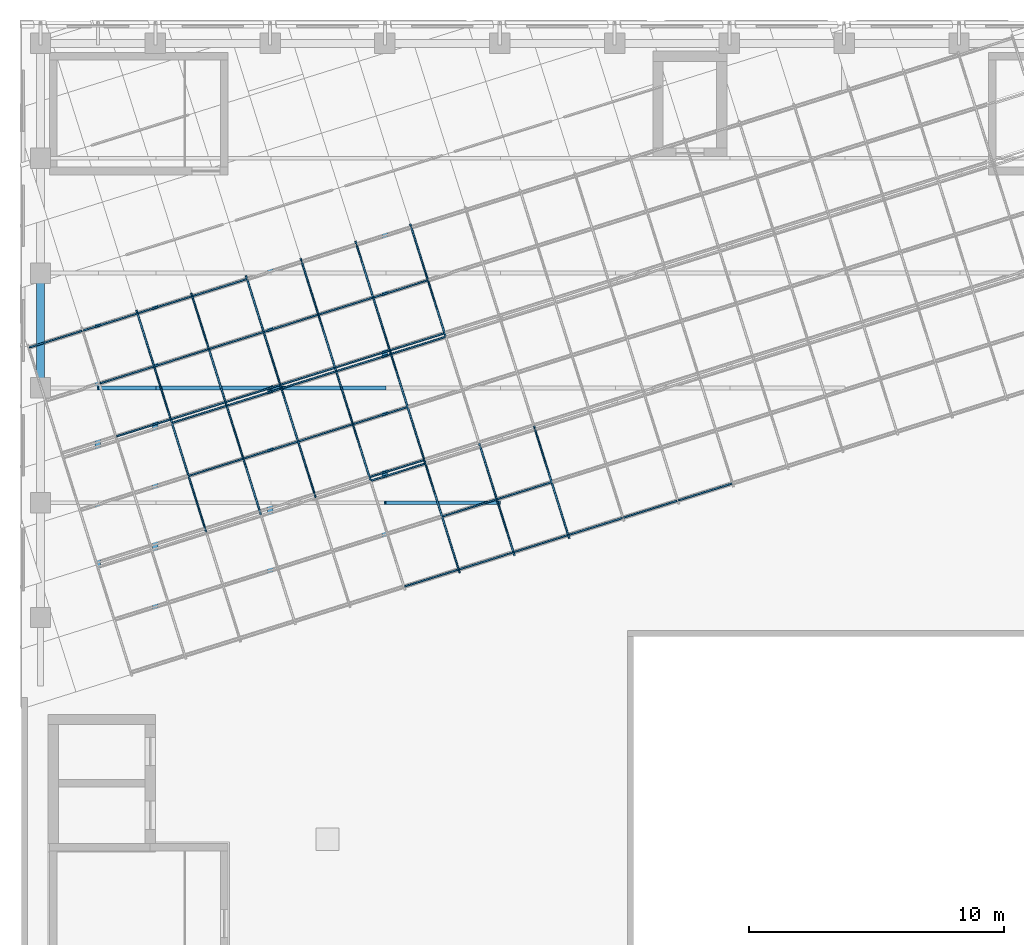
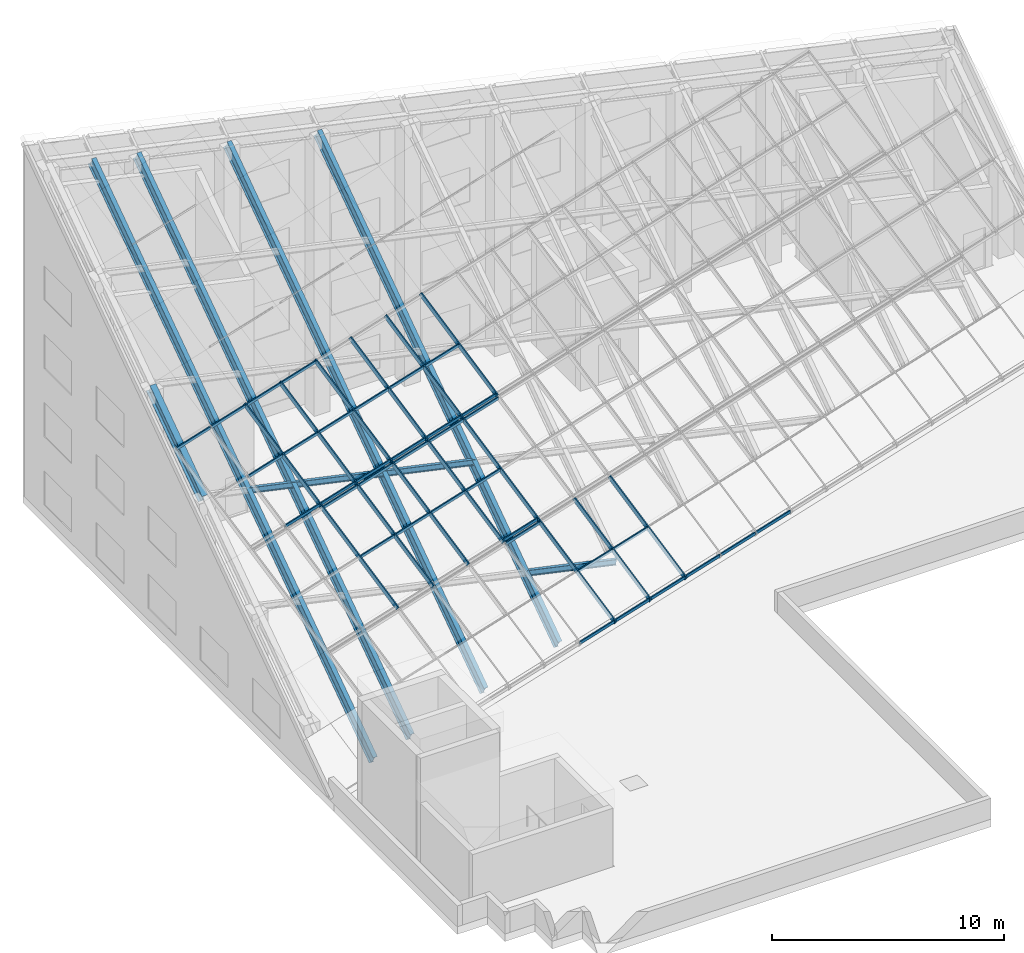
# One storey, part 2 of 14: 58 members, 3 elements without a shape of their own.
"""IFC4 building model written with IfcOpenShell, lengths in metres."""

from ifc_helpers import new_model, si_unit, direction, frame, origin, origin_2d, place, context, subcontext, project, spatial, rectangle, i_section, extrude, material, material_profile, profile_set, type_object, element, aggregate, save


model = new_model("IFC4")

# Units and contexts
model_context = context("Model", 3, precision=1e-05, world=origin(), true_north=direction((0.0, 1.0)))
body_context = subcontext(model_context, "Body", "Model", "MODEL_VIEW")
ifc_project = project(units=[si_unit("LENGTHUNIT", "METRE"), si_unit("AREAUNIT", "SQUARE_METRE"), si_unit("VOLUMEUNIT", "CUBIC_METRE"), si_unit("PLANEANGLEUNIT", "RADIAN"), si_unit("MASSUNIT", "GRAM", prefix="KILO")], contexts=[model_context])

# Site, building, storey
site_placement = place(None, origin())
site = spatial("IfcSite", under=ifc_project, at=site_placement, CompositionType="ELEMENT")
building_placement = place(site_placement, origin())
building = spatial("IfcBuilding", under=site, at=building_placement, Name="Firuza Court", CompositionType="ELEMENT")
storey_placement = place(building_placement, frame((0.0, 0.0, 266.199951171875)))
storey = spatial("IfcBuildingStorey", under=building, at=storey_placement, Name="L68 Crown", CompositionType="ELEMENT", Elevation=266.199951171875)

# Members
ifc_material_1 = material(Name="Steel S355", Category="steel")
ifc_material_profile_1 = material_profile(ifc_material_1, i_section(OverallWidth=0.14990234375, OverallDepth=0.300048828125, WebThickness=0.007080078125, FlangeThickness=0.0107421875, FilletRadius=0.014892578125, at=origin_2d()), Name="IPE 300")
ifc_profile_set_1 = profile_set([ifc_material_profile_1], Name="Steel S355")
member_type_1 = type_object("IfcMemberType", Name="Crown purlin IPE 300 S355", PredefinedType="PURLIN", material=ifc_profile_set_1)
member_1_placement = place(storey_placement, frame((13.5, 40.5, 2.302734375), z_axis=(0.977054686112, 0.0, -0.212988592057), x_axis=(0.0, 1.0, 0.0)))
element("IfcMember", 1, at=member_1_placement, inside=storey, type_object=member_type_1, Name="Crown frame purlin", PredefinedType="PURLIN", context=body_context, shape_type="SweptSolid", body=[
    extrude(i_section(OverallWidth=0.14990234375, OverallDepth=0.300048828125, WebThickness=0.007080078125, FlangeThickness=0.0107421875, FilletRadius=0.014892578125, at=origin_2d()), origin(), (0.0, 0.0, 1.0), 4.605712890625),
])
member_2_placement = place(storey_placement, frame((2.25, 45.0, 7.87353515625), z_axis=(0.977054686112, 0.0, -0.212988592057), x_axis=(0.0, 1.0, 0.0)))
element("IfcMember", 2, at=member_2_placement, inside=storey, type_object=member_type_1, Name="Crown frame purlin", PredefinedType="PURLIN", context=body_context, shape_type="SweptSolid", body=[
    extrude(i_section(OverallWidth=0.14990234375, OverallDepth=0.300048828125, WebThickness=0.007080078125, FlangeThickness=0.0107421875, FilletRadius=0.014892578125, at=origin_2d()), origin(), (0.0, 0.0, 1.0), 2.302734375),
])
for number, where, z_axis, x_axis, name in (
    (3, (4.5, 45.0, 7.383056640625), (0.977065716097, 0.0, -0.212937987281), (0.0, 1.0, 0.0), "Crown frame purlin"),
    (4, (9.0, 45.0, 6.40234375), (0.977065716097, 0.0, -0.212937987281), (0.0, 1.0, 0.0), "Crown frame purlin"),
):
    element("IfcMember", number, at=place(storey_placement, frame(where, z_axis=z_axis, x_axis=x_axis)), inside=storey, type_object=member_type_1, Name=name, PredefinedType="PURLIN", context=body_context, shape_type="SweptSolid", body=[
        extrude(i_section(OverallWidth=0.14990234375, OverallDepth=0.300048828125, WebThickness=0.007080078125, FlangeThickness=0.0107421875, FilletRadius=0.014892578125, at=origin_2d()), origin(), (0.0, 0.0, 1.0), 4.605712890625),
    ])
ifc_material_2 = material(Name="Steel S355", Category="steel")
ifc_material_profile_2 = material_profile(ifc_material_2, i_section(OverallWidth=0.219970703125, OverallDepth=0.60009765625, WebThickness=0.011962890625, FlangeThickness=0.01904296875, FilletRadius=0.02392578125, at=origin_2d()), Name="IPE 600")
ifc_profile_set_2 = profile_set([ifc_material_profile_2], Name="Steel S355")
member_type_2 = type_object("IfcMemberType", Name="Crown rafter IPE 600 S355", PredefinedType="RAFTER", material=ifc_profile_set_2)
member_3_placement = place(storey_placement, frame((2.25, 34.197021484375, 0.20263671875), z_axis=(0.0, 0.82189365558, 0.569640956145), x_axis=(-1.0, 0.0, 0.0)))
element("IfcMember", 5, at=member_3_placement, inside=storey, type_object=member_type_2, Name="Crown frame rafter", PredefinedType="RAFTER", context=body_context, shape_type="SweptSolid", body=[
    extrude(i_section(OverallWidth=0.219970703125, OverallDepth=0.60009765625, WebThickness=0.011962890625, FlangeThickness=0.01904296875, FilletRadius=0.02392578125, at=origin_2d()), origin(), (0.0, 0.0, 1.0), 29.569580078125),
])
member_4_placement = place(storey_placement, frame((4.5, 34.904541015625, 0.20263671875), z_axis=(0.0, 0.821895423076, 0.569638405944), x_axis=(-1.0, 0.0, 0.0)))
element("IfcMember", 6, at=member_4_placement, inside=storey, type_object=member_type_2, Name="Crown frame rafter", PredefinedType="RAFTER", context=body_context, shape_type="SweptSolid", body=[
    extrude(i_section(OverallWidth=0.219970703125, OverallDepth=0.60009765625, WebThickness=0.011962890625, FlangeThickness=0.01904296875, FilletRadius=0.02392578125, at=origin_2d()), origin(), (0.0, 0.0, 1.0), 28.70849609375),
])
member_5_placement = place(storey_placement, frame((9.0, 36.319580078125, 0.20263671875), z_axis=(0.0, 0.821895060869, 0.56963892855), x_axis=(-1.0, 0.0, 0.0)))
element("IfcMember", 7, at=member_5_placement, inside=storey, type_object=member_type_2, Name="Crown frame rafter", PredefinedType="RAFTER", context=body_context, shape_type="SweptSolid", body=[
    extrude(i_section(OverallWidth=0.219970703125, OverallDepth=0.60009765625, WebThickness=0.011962890625, FlangeThickness=0.01904296875, FilletRadius=0.02392578125, at=origin_2d()), origin(), (0.0, 0.0, 1.0), 26.98681640625),
])
member_6_placement = place(storey_placement, frame((13.5, 37.73486328125, 0.20263671875), z_axis=(0.0, 0.821891513689, 0.569644046511), x_axis=(-1.0, 0.0, 0.0)))
element("IfcMember", 8, at=member_6_placement, inside=storey, type_object=member_type_2, Name="Crown frame rafter", PredefinedType="RAFTER", context=body_context, shape_type="SweptSolid", body=[
    extrude(i_section(OverallWidth=0.219970703125, OverallDepth=0.60009765625, WebThickness=0.011962890625, FlangeThickness=0.01904296875, FilletRadius=0.02392578125, at=origin_2d()), origin(), (0.0, 0.0, 1.0), 25.26513671875),
])
ifc_material_3 = material(Name="Steel S355", Category="steel")
ifc_material_profile_3 = material_profile(ifc_material_3, i_section(OverallWidth=0.300048828125, OverallDepth=0.60009765625, WebThickness=0.015380859375, FlangeThickness=0.030029296875, FilletRadius=0.027099609375, at=origin_2d()), Name="HE 600 B")
ifc_profile_set_3 = profile_set([ifc_material_profile_3], Name="Steel S355")
member_type_3 = type_object("IfcMemberType", Name="Crown ring beam HE 600 B S355", PredefinedType="MEMBER", material=ifc_profile_set_3)
member_7_placement = place(storey_placement, frame((0.0, 49.5, 11.34326171875), z_axis=(0.0, -0.821891894139, -0.569643497592), x_axis=(1.0, 0.0, 0.0)))
element("IfcMember", 9, at=member_7_placement, inside=storey, type_object=member_type_3, Name="Crown frame ring beam", PredefinedType="MEMBER", context=body_context, shape_type="SweptSolid", body=[
    extrude(i_section(OverallWidth=0.300048828125, OverallDepth=0.60009765625, WebThickness=0.015380859375, FlangeThickness=0.030029296875, FilletRadius=0.027099609375, at=origin_2d()), origin(), (0.0, 0.0, 1.0), 5.47509765625),
])

# Curtain wall, members
ifc_material_4 = material(Name="Aluminium curtain wall, triple clear glazing", Category="aluminium")
curtain_wall_type = type_object("IfcCurtainWallType", Name="Crown sloped structural glazing CW5", PredefinedType="NOTDEFINED", material=ifc_material_4)
curtain_wall_1_placement = place(storey_placement, origin())
curtain_wall_1 = element("IfcCurtainWall", 10, at=curtain_wall_1_placement, inside=storey, type_object=curtain_wall_type, Name="Crown sloped structural glazing CW5 1.1", PredefinedType="NOTDEFINED")
ifc_material_5 = material(Name="Aluminium EN AW-6060 T66", Category="aluminium")
ifc_material_profile_4 = material_profile(ifc_material_5, rectangle(XDim=0.06005859375, YDim=0.219970703125, at=origin_2d()), Name="Mullion 220 x 60 CW5")
ifc_profile_set_4 = profile_set([ifc_material_profile_4], Name="Aluminium EN AW-6060 T66")
member_type_4 = type_object("IfcMemberType", Name="Mullion 220 x 60 CW5", PredefinedType="MULLION", material=ifc_profile_set_4)
member_8_placement = place(storey_placement, frame((20.7060546875, 39.160400390625, 0.26416015625), z_axis=(-0.242676110051, 0.771788156835, 0.587751092367), x_axis=(-0.95395336245, -0.299954967071, 0.0)))
member_8 = element("IfcMember", 11, at=member_8_placement, type_object=member_type_4, Name="CW5 mullion 11", PredefinedType="MULLION", context=body_context, shape_type="SweptSolid", body=[
    extrude(rectangle(XDim=0.06005859375, YDim=0.219970703125, at=origin_2d()), origin(), (0.0, 0.0, 1.0), 5.562255859375),
])
member_9_placement = place(storey_placement, frame((18.559814453125, 38.485595703125, 0.26416015625), z_axis=(-0.242684330874, 0.771770408711, 0.587771002846), x_axis=(-0.953948480927, -0.299970491443, 0.0)))
member_9 = element("IfcMember", 12, at=member_9_placement, type_object=member_type_4, Name="CW5 mullion 12", PredefinedType="MULLION", context=body_context, shape_type="SweptSolid", body=[
    extrude(rectangle(XDim=0.06005859375, YDim=0.219970703125, at=origin_2d()), origin(), (0.0, 0.0, 1.0), 5.562255859375),
])
member_10_placement = place(storey_placement, frame((16.413330078125, 37.810546875, 0.26416015625), z_axis=(-0.242676110051, 0.771788156835, 0.587751092367), x_axis=(-0.95395336245, -0.299954967071, 0.0)))
member_10 = element("IfcMember", 13, at=member_10_placement, type_object=member_type_4, Name="CW5 mullion 13", PredefinedType="MULLION", context=body_context, shape_type="SweptSolid", body=[
    extrude(rectangle(XDim=0.06005859375, YDim=0.219970703125, at=origin_2d()), origin(), (0.0, 0.0, 1.0), 5.562255859375),
])

curtain_wall_2_placement = place(storey_placement, origin())
curtain_wall_2 = element("IfcCurtainWall", 14, at=curtain_wall_2_placement, inside=storey, type_object=curtain_wall_type, Name="Crown sloped structural glazing CW5 2.1", PredefinedType="NOTDEFINED")
member_11_placement = place(storey_placement, frame((15.0634765625, 42.103515625, 3.533447265625), z_axis=(-0.242686290418, 0.771732746994, 0.587819642119), x_axis=(-0.953943598647, -0.299986017343, 0.0)))
member_11 = element("IfcMember", 15, at=member_11_placement, type_object=member_type_4, Name="CW5 mullion 15", PredefinedType="MULLION", context=body_context, shape_type="SweptSolid", body=[
    extrude(rectangle(XDim=0.06005859375, YDim=0.219970703125, at=origin_2d()), origin(), (0.0, 0.0, 1.0), 5.56201171875),
])
member_12_placement = place(storey_placement, frame((12.9169921875, 41.428466796875, 3.533447265625), z_axis=(-0.242678069863, 0.771750497813, 0.587799730803), x_axis=(-0.953948480927, -0.299970491443, 0.0)))
member_12 = element("IfcMember", 16, at=member_12_placement, type_object=member_type_4, Name="CW5 mullion 16", PredefinedType="MULLION", context=body_context, shape_type="SweptSolid", body=[
    extrude(rectangle(XDim=0.06005859375, YDim=0.219970703125, at=origin_2d()), origin(), (0.0, 0.0, 1.0), 5.562255859375),
])
member_13_placement = place(storey_placement, frame((10.770751953125, 40.75341796875, 3.533447265625), z_axis=(-0.242678069863, 0.771750497813, 0.587799730803), x_axis=(-0.953948480927, -0.299970491443, 0.0)))
member_13 = element("IfcMember", 17, at=member_13_placement, type_object=member_type_4, Name="CW5 mullion 17", PredefinedType="MULLION", context=body_context, shape_type="SweptSolid", body=[
    extrude(rectangle(XDim=0.06005859375, YDim=0.219970703125, at=origin_2d()), origin(), (0.0, 0.0, 1.0), 5.562255859375),
])
member_14_placement = place(storey_placement, frame((8.624267578125, 40.07861328125, 3.533447265625), z_axis=(-0.242686290418, 0.771732746994, 0.587819642119), x_axis=(-0.953943598647, -0.299986017343, 0.0)))
member_14 = element("IfcMember", 18, at=member_14_placement, type_object=member_type_4, Name="CW5 mullion 18", PredefinedType="MULLION", context=body_context, shape_type="SweptSolid", body=[
    extrude(rectangle(XDim=0.06005859375, YDim=0.219970703125, at=origin_2d()), origin(), (0.0, 0.0, 1.0), 5.56201171875),
])
member_15_placement = place(storey_placement, frame((6.47802734375, 39.403564453125, 3.533447265625), z_axis=(-0.242678069863, 0.771750497813, 0.587799730803), x_axis=(-0.953948480927, -0.299970491443, 0.0)))
member_15 = element("IfcMember", 19, at=member_15_placement, type_object=member_type_4, Name="CW5 mullion 19", PredefinedType="MULLION", context=body_context, shape_type="SweptSolid", body=[
    extrude(rectangle(XDim=0.06005859375, YDim=0.219970703125, at=origin_2d()), origin(), (0.0, 0.0, 1.0), 5.562255859375),
])

curtain_wall_3_placement = place(storey_placement, origin())
curtain_wall_3 = element("IfcCurtainWall", 20, at=curtain_wall_3_placement, inside=storey, type_object=curtain_wall_type, Name="Crown sloped structural glazing CW5 3.1", PredefinedType="NOTDEFINED")
member_16_placement = place(storey_placement, frame((15.85986328125, 47.071044921875, 6.802978515625), z_axis=(-0.242678069863, 0.771750497813, 0.587799730803), x_axis=(-0.953948480927, -0.299970491443, 0.0)))
member_16 = element("IfcMember", 21, at=member_16_placement, type_object=member_type_4, Name="CW5 mullion 12", PredefinedType="MULLION", context=body_context, shape_type="SweptSolid", body=[
    extrude(rectangle(XDim=0.06005859375, YDim=0.219970703125, at=origin_2d()), origin(), (0.0, 0.0, 1.0), 5.562255859375),
])
member_17_placement = place(storey_placement, frame((13.713623046875, 46.39599609375, 6.802978515625), z_axis=(-0.242711154741, 0.771760026214, 0.587773559546), x_axis=(-0.953937837817, -0.300004335938, 0.0)))
member_17 = element("IfcMember", 22, at=member_17_placement, type_object=member_type_4, Name="CW5 mullion 13", PredefinedType="MULLION", context=body_context, shape_type="SweptSolid", body=[
    extrude(rectangle(XDim=0.06005859375, YDim=0.219970703125, at=origin_2d()), origin(), (0.0, 0.0, 1.0), 5.5625),
])
member_18_placement = place(storey_placement, frame((11.567138671875, 45.72119140625, 6.802978515625), z_axis=(-0.242678069863, 0.771750497813, 0.587799730803), x_axis=(-0.953948480927, -0.299970491443, 0.0)))
member_18 = element("IfcMember", 23, at=member_18_placement, type_object=member_type_4, Name="CW5 mullion 14", PredefinedType="MULLION", context=body_context, shape_type="SweptSolid", body=[
    extrude(rectangle(XDim=0.06005859375, YDim=0.219970703125, at=origin_2d()), origin(), (0.0, 0.0, 1.0), 5.562255859375),
])
member_19_placement = place(storey_placement, frame((9.4208984375, 45.046142578125, 6.802978515625), z_axis=(-0.242711154741, 0.771760026214, 0.587773559546), x_axis=(-0.953937837817, -0.300004335938, 0.0)))
member_19 = element("IfcMember", 24, at=member_19_placement, type_object=member_type_4, Name="CW5 mullion 15", PredefinedType="MULLION", context=body_context, shape_type="SweptSolid", body=[
    extrude(rectangle(XDim=0.06005859375, YDim=0.219970703125, at=origin_2d()), origin(), (0.0, 0.0, 1.0), 5.5625),
])
member_20_placement = place(storey_placement, frame((7.2744140625, 44.37109375, 6.802978515625), z_axis=(-0.242669849677, 0.771768246829, 0.587779820378), x_axis=(-0.95395336245, -0.299954967071, 0.0)))
member_20 = element("IfcMember", 25, at=member_20_placement, type_object=member_type_4, Name="CW5 mullion 16", PredefinedType="MULLION", context=body_context, shape_type="SweptSolid", body=[
    extrude(rectangle(XDim=0.06005859375, YDim=0.219970703125, at=origin_2d()), origin(), (0.0, 0.0, 1.0), 5.5625),
])
member_21_placement = place(storey_placement, frame((5.128173828125, 43.6962890625, 6.802978515625), z_axis=(-0.242719376152, 0.771742276831, 0.587793469335), x_axis=(-0.953932954767, -0.300019862359, 0.0)))
member_21 = element("IfcMember", 26, at=member_21_placement, type_object=member_type_4, Name="CW5 mullion 17", PredefinedType="MULLION", context=body_context, shape_type="SweptSolid", body=[
    extrude(rectangle(XDim=0.06005859375, YDim=0.219970703125, at=origin_2d()), origin(), (0.0, 0.0, 1.0), 5.5625),
])

# Member
ifc_material_6 = material(Name="Aluminium EN AW-6060 T66", Category="aluminium")
ifc_material_profile_5 = material_profile(ifc_material_6, rectangle(XDim=0.06005859375, YDim=0.14990234375, at=origin_2d()), Name="Transom 150 x 60 CW5")
ifc_profile_set_5 = profile_set([ifc_material_profile_5], Name="Aluminium EN AW-6060 T66")
member_type_5 = type_object("IfcMemberType", Name="Transom 150 x 60 CW5", PredefinedType="USERDEFINED", material=ifc_profile_set_5)
member_22_placement = place(storey_placement, frame((27.09423828125, 41.248046875, 0.318603515625), z_axis=(-0.953950891852, -0.299962824255, 0.0), x_axis=(0.299962824255, -0.953950891852, 0.0)))
member_22 = element("IfcMember", 27, at=member_22_placement, type_object=member_type_5, Name="CW5 transom 1.8", ObjectType="TRANSOM", PredefinedType="USERDEFINED", context=body_context, shape_type="SweptSolid", body=[
    extrude(rectangle(XDim=0.06005859375, YDim=0.14990234375, at=origin_2d()), origin(), (0.0, 0.0, 1.0), 2.190185546875),
])

member_23_placement = place(storey_placement, frame((24.94775390625, 40.572998046875, 0.318603515625), z_axis=(-0.953940860537, -0.299994724285, 0.0), x_axis=(0.299994724285, -0.953940860537, 0.0)))
member_23 = element("IfcMember", 28, at=member_23_placement, type_object=member_type_5, Name="CW5 transom 1.9", ObjectType="TRANSOM", PredefinedType="USERDEFINED", context=body_context, shape_type="SweptSolid", body=[
    extrude(rectangle(XDim=0.06005859375, YDim=0.14990234375, at=origin_2d()), origin(), (0.0, 0.0, 1.0), 2.18994140625),
])

member_24_placement = place(storey_placement, frame((22.801513671875, 39.89794921875, 0.318603515625), z_axis=(-0.953972759463, -0.299893271352, 0.0), x_axis=(0.299893271352, -0.953972759463, 0.0)))
member_24 = element("IfcMember", 29, at=member_24_placement, type_object=member_type_5, Name="CW5 transom 1.10", ObjectType="TRANSOM", PredefinedType="USERDEFINED", context=body_context, shape_type="SweptSolid", body=[
    extrude(rectangle(XDim=0.06005859375, YDim=0.14990234375, at=origin_2d()), origin(), (0.0, 0.0, 1.0), 2.18994140625),
])

member_25_placement = place(storey_placement, frame((20.655029296875, 39.22314453125, 0.318603515625), z_axis=(-0.953940860537, -0.299994724285, 0.0), x_axis=(0.299994724285, -0.953940860537, 0.0)))
member_25 = element("IfcMember", 30, at=member_25_placement, type_object=member_type_5, Name="CW5 transom 1.11", ObjectType="TRANSOM", PredefinedType="USERDEFINED", context=body_context, shape_type="SweptSolid", body=[
    extrude(rectangle(XDim=0.06005859375, YDim=0.14990234375, at=origin_2d()), origin(), (0.0, 0.0, 1.0), 2.18994140625),
])

member_26_placement = place(storey_placement, frame((18.5087890625, 38.548095703125, 0.318603515625), z_axis=(-0.953950891852, -0.299962824255, 0.0), x_axis=(0.299962824255, -0.953950891852, 0.0)))
member_26 = element("IfcMember", 31, at=member_26_placement, type_object=member_type_5, Name="CW5 transom 1.12", ObjectType="TRANSOM", PredefinedType="USERDEFINED", context=body_context, shape_type="SweptSolid", body=[
    extrude(rectangle(XDim=0.06005859375, YDim=0.14990234375, at=origin_2d()), origin(), (0.0, 0.0, 1.0), 2.190185546875),
])

member_27_placement = place(storey_placement, frame((16.3623046875, 37.873291015625, 0.318603515625), z_axis=(-0.953940860537, -0.299994724285, 0.0), x_axis=(0.299994724285, -0.953940860537, 0.0)))
member_27 = element("IfcMember", 32, at=member_27_placement, type_object=member_type_5, Name="CW5 transom 1.13", ObjectType="TRANSOM", PredefinedType="USERDEFINED", context=body_context, shape_type="SweptSolid", body=[
    extrude(rectangle(XDim=0.06005859375, YDim=0.14990234375, at=origin_2d()), origin(), (0.0, 0.0, 1.0), 2.18994140625),
])

member_28_placement = place(storey_placement, frame((20.002685546875, 41.2978515625, 1.89892578125), z_axis=(-0.95398278433, -0.299861379978, 0.0), x_axis=(0.299861379978, -0.95398278433, 0.0)))
member_28 = element("IfcMember", 33, at=member_28_placement, type_object=member_type_5, Name="CW5 transom 2.11", ObjectType="TRANSOM", PredefinedType="USERDEFINED", context=body_context, shape_type="SweptSolid", body=[
    extrude(rectangle(XDim=0.06005859375, YDim=0.14990234375, at=origin_2d()), origin(), (0.0, 0.0, 1.0), 2.190185546875),
])

member_29_placement = place(storey_placement, frame((17.856201171875, 40.623046875, 1.89892578125), z_axis=(-0.953940860537, -0.299994724285, 0.0), x_axis=(0.299994724285, -0.953940860537, 0.0)))
member_29 = element("IfcMember", 34, at=member_29_placement, type_object=member_type_5, Name="CW5 transom 2.12", ObjectType="TRANSOM", PredefinedType="USERDEFINED", context=body_context, shape_type="SweptSolid", body=[
    extrude(rectangle(XDim=0.06005859375, YDim=0.14990234375, at=origin_2d()), origin(), (0.0, 0.0, 1.0), 2.18994140625),
])

member_30_placement = place(storey_placement, frame((15.057373046875, 42.022705078125, 3.47900390625), z_axis=(-0.953972759463, -0.299893271352, 0.0), x_axis=(0.299893271352, -0.953972759463, 0.0)))
member_30 = element("IfcMember", 35, at=member_30_placement, type_object=member_type_5, Name="CW5 transom 3.13", ObjectType="TRANSOM", PredefinedType="USERDEFINED", context=body_context, shape_type="SweptSolid", body=[
    extrude(rectangle(XDim=0.06005859375, YDim=0.14990234375, at=origin_2d()), origin(), (0.0, 0.0, 1.0), 2.18994140625),
])

aggregate(curtain_wall_1, [member_8, member_9, member_10, member_22, member_23, member_24, member_25, member_26, member_27, member_28, member_29, member_30])

member_31_placement = place(storey_placement, frame((15.012451171875, 42.166015625, 3.588134765625), z_axis=(-0.953950891852, -0.299962824255, 0.0), x_axis=(0.299962824255, -0.953950891852, 0.0)))
member_31 = element("IfcMember", 36, at=member_31_placement, type_object=member_type_5, Name="CW5 transom 1.15", ObjectType="TRANSOM", PredefinedType="USERDEFINED", context=body_context, shape_type="SweptSolid", body=[
    extrude(rectangle(XDim=0.06005859375, YDim=0.14990234375, at=origin_2d()), origin(), (0.0, 0.0, 1.0), 2.190185546875),
])

member_32_placement = place(storey_placement, frame((14.35986328125, 44.24072265625, 5.168212890625), z_axis=(-0.953940860537, -0.299994724285, 0.0), x_axis=(0.299994724285, -0.953940860537, 0.0)))
member_32 = element("IfcMember", 37, at=member_32_placement, type_object=member_type_5, Name="CW5 transom 2.15", ObjectType="TRANSOM", PredefinedType="USERDEFINED", context=body_context, shape_type="SweptSolid", body=[
    extrude(rectangle(XDim=0.06005859375, YDim=0.14990234375, at=origin_2d()), origin(), (0.0, 0.0, 1.0), 2.18994140625),
])

member_33_placement = place(storey_placement, frame((12.21337890625, 43.56591796875, 5.168212890625), z_axis=(-0.953898911988, -0.300128082173, 0.0), x_axis=(0.300128082173, -0.953898911988, 0.0)))
member_33 = element("IfcMember", 38, at=member_33_placement, type_object=member_type_5, Name="CW5 transom 2.16", ObjectType="TRANSOM", PredefinedType="USERDEFINED", context=body_context, shape_type="SweptSolid", body=[
    extrude(rectangle(XDim=0.06005859375, YDim=0.14990234375, at=origin_2d()), origin(), (0.0, 0.0, 1.0), 2.18994140625),
])

member_34_placement = place(storey_placement, frame((10.067138671875, 42.890869140625, 5.168212890625), z_axis=(-0.953940860537, -0.299994724285, 0.0), x_axis=(0.299994724285, -0.953940860537, 0.0)))
member_34 = element("IfcMember", 39, at=member_34_placement, type_object=member_type_5, Name="CW5 transom 2.17", ObjectType="TRANSOM", PredefinedType="USERDEFINED", context=body_context, shape_type="SweptSolid", body=[
    extrude(rectangle(XDim=0.06005859375, YDim=0.14990234375, at=origin_2d()), origin(), (0.0, 0.0, 1.0), 2.18994140625),
])

member_35_placement = place(storey_placement, frame((7.9208984375, 42.2158203125, 5.168212890625), z_axis=(-0.953950891852, -0.299962824255, 0.0), x_axis=(0.299962824255, -0.953950891852, 0.0)))
member_35 = element("IfcMember", 40, at=member_35_placement, type_object=member_type_5, Name="CW5 transom 2.18", ObjectType="TRANSOM", PredefinedType="USERDEFINED", context=body_context, shape_type="SweptSolid", body=[
    extrude(rectangle(XDim=0.06005859375, YDim=0.14990234375, at=origin_2d()), origin(), (0.0, 0.0, 1.0), 2.190185546875),
])

member_36_placement = place(storey_placement, frame((15.853759765625, 46.990478515625, 6.74853515625), z_axis=(-0.953940860537, -0.299994724285, 0.0), x_axis=(0.299994724285, -0.953940860537, 0.0)))
member_36 = element("IfcMember", 41, at=member_36_placement, type_object=member_type_5, Name="CW5 transom 3.14", ObjectType="TRANSOM", PredefinedType="USERDEFINED", context=body_context, shape_type="SweptSolid", body=[
    extrude(rectangle(XDim=0.06005859375, YDim=0.14990234375, at=origin_2d()), origin(), (0.0, 0.0, 1.0), 2.18994140625),
])

member_37_placement = place(storey_placement, frame((13.70751953125, 46.315673828125, 6.74853515625), z_axis=(-0.953940860537, -0.299994724285, 0.0), x_axis=(0.299994724285, -0.953940860537, 0.0)))
member_37 = element("IfcMember", 42, at=member_37_placement, type_object=member_type_5, Name="CW5 transom 3.15", ObjectType="TRANSOM", PredefinedType="USERDEFINED", context=body_context, shape_type="SweptSolid", body=[
    extrude(rectangle(XDim=0.06005859375, YDim=0.14990234375, at=origin_2d()), origin(), (0.0, 0.0, 1.0), 2.18994140625),
])

member_38_placement = place(storey_placement, frame((11.56103515625, 45.640625, 6.74853515625), z_axis=(-0.953940860537, -0.299994724285, 0.0), x_axis=(0.299994724285, -0.953940860537, 0.0)))
member_38 = element("IfcMember", 43, at=member_38_placement, type_object=member_type_5, Name="CW5 transom 3.16", ObjectType="TRANSOM", PredefinedType="USERDEFINED", context=body_context, shape_type="SweptSolid", body=[
    extrude(rectangle(XDim=0.06005859375, YDim=0.14990234375, at=origin_2d()), origin(), (0.0, 0.0, 1.0), 2.18994140625),
])

member_39_placement = place(storey_placement, frame((9.414794921875, 44.9658203125, 6.74853515625), z_axis=(-0.95391899072, -0.300064258357, 0.0), x_axis=(0.300064258357, -0.95391899072, 0.0)))
member_39 = element("IfcMember", 44, at=member_39_placement, type_object=member_type_5, Name="CW5 transom 3.17", ObjectType="TRANSOM", PredefinedType="USERDEFINED", context=body_context, shape_type="SweptSolid", body=[
    extrude(rectangle(XDim=0.06005859375, YDim=0.14990234375, at=origin_2d()), origin(), (0.0, 0.0, 1.0), 2.190185546875),
])

member_40_placement = place(storey_placement, frame((7.268310546875, 44.290771484375, 6.74853515625), z_axis=(-0.953940860537, -0.299994724285, 0.0), x_axis=(0.299994724285, -0.953940860537, 0.0)))
member_40 = element("IfcMember", 45, at=member_40_placement, type_object=member_type_5, Name="CW5 transom 3.18", ObjectType="TRANSOM", PredefinedType="USERDEFINED", context=body_context, shape_type="SweptSolid", body=[
    extrude(rectangle(XDim=0.06005859375, YDim=0.14990234375, at=origin_2d()), origin(), (0.0, 0.0, 1.0), 2.18994140625),
])

aggregate(curtain_wall_2, [member_11, member_12, member_13, member_14, member_15, member_31, member_32, member_33, member_34, member_35, member_36, member_37, member_38, member_39, member_40])

member_41_placement = place(storey_placement, frame((15.808837890625, 47.133544921875, 6.857421875), z_axis=(-0.953972759463, -0.299893271352, 0.0), x_axis=(0.299893271352, -0.953972759463, 0.0)))
member_41 = element("IfcMember", 46, at=member_41_placement, type_object=member_type_5, Name="CW5 transom 1.12", ObjectType="TRANSOM", PredefinedType="USERDEFINED", context=body_context, shape_type="SweptSolid", body=[
    extrude(rectangle(XDim=0.06005859375, YDim=0.14990234375, at=origin_2d()), origin(), (0.0, 0.0, 1.0), 2.18994140625),
])

member_42_placement = place(storey_placement, frame((13.662353515625, 46.458740234375, 6.857421875), z_axis=(-0.953940860537, -0.299994724285, 0.0), x_axis=(0.299994724285, -0.953940860537, 0.0)))
member_42 = element("IfcMember", 47, at=member_42_placement, type_object=member_type_5, Name="CW5 transom 1.13", ObjectType="TRANSOM", PredefinedType="USERDEFINED", context=body_context, shape_type="SweptSolid", body=[
    extrude(rectangle(XDim=0.06005859375, YDim=0.14990234375, at=origin_2d()), origin(), (0.0, 0.0, 1.0), 2.18994140625),
])

member_43_placement = place(storey_placement, frame((11.51611328125, 45.78369140625, 6.857421875), z_axis=(-0.953940860537, -0.299994724285, 0.0), x_axis=(0.299994724285, -0.953940860537, 0.0)))
member_43 = element("IfcMember", 48, at=member_43_placement, type_object=member_type_5, Name="CW5 transom 1.14", ObjectType="TRANSOM", PredefinedType="USERDEFINED", context=body_context, shape_type="SweptSolid", body=[
    extrude(rectangle(XDim=0.06005859375, YDim=0.14990234375, at=origin_2d()), origin(), (0.0, 0.0, 1.0), 2.18994140625),
])

member_44_placement = place(storey_placement, frame((9.36962890625, 45.108642578125, 6.857421875), z_axis=(-0.953972759463, -0.299893271352, 0.0), x_axis=(0.299893271352, -0.953972759463, 0.0)))
member_44 = element("IfcMember", 49, at=member_44_placement, type_object=member_type_5, Name="CW5 transom 1.15", ObjectType="TRANSOM", PredefinedType="USERDEFINED", context=body_context, shape_type="SweptSolid", body=[
    extrude(rectangle(XDim=0.06005859375, YDim=0.14990234375, at=origin_2d()), origin(), (0.0, 0.0, 1.0), 2.18994140625),
])

member_45_placement = place(storey_placement, frame((7.223388671875, 44.433837890625, 6.857421875), z_axis=(-0.953940860537, -0.299994724285, 0.0), x_axis=(0.299994724285, -0.953940860537, 0.0)))
member_45 = element("IfcMember", 50, at=member_45_placement, type_object=member_type_5, Name="CW5 transom 1.16", ObjectType="TRANSOM", PredefinedType="USERDEFINED", context=body_context, shape_type="SweptSolid", body=[
    extrude(rectangle(XDim=0.06005859375, YDim=0.14990234375, at=origin_2d()), origin(), (0.0, 0.0, 1.0), 2.18994140625),
])

member_46_placement = place(storey_placement, frame((5.076904296875, 43.7587890625, 6.857421875), z_axis=(-0.953940860537, -0.299994724285, 0.0), x_axis=(0.299994724285, -0.953940860537, 0.0)))
member_46 = element("IfcMember", 51, at=member_46_placement, type_object=member_type_5, Name="CW5 transom 1.17", ObjectType="TRANSOM", PredefinedType="USERDEFINED", context=body_context, shape_type="SweptSolid", body=[
    extrude(rectangle(XDim=0.06005859375, YDim=0.14990234375, at=origin_2d()), origin(), (0.0, 0.0, 1.0), 2.18994140625),
])

member_47_placement = place(storey_placement, frame((15.15625, 49.20849609375, 8.437744140625), z_axis=(-0.953940860537, -0.299994724285, 0.0), x_axis=(0.299994724285, -0.953940860537, 0.0)))
member_47 = element("IfcMember", 52, at=member_47_placement, type_object=member_type_5, Name="CW5 transom 2.12", ObjectType="TRANSOM", PredefinedType="USERDEFINED", context=body_context, shape_type="SweptSolid", body=[
    extrude(rectangle(XDim=0.06005859375, YDim=0.14990234375, at=origin_2d()), origin(), (0.0, 0.0, 1.0), 2.18994140625),
])

member_48_placement = place(storey_placement, frame((13.010009765625, 48.533447265625, 8.437744140625), z_axis=(-0.953940860537, -0.299994724285, 0.0), x_axis=(0.299994724285, -0.953940860537, 0.0)))
member_48 = element("IfcMember", 53, at=member_48_placement, type_object=member_type_5, Name="CW5 transom 2.13", ObjectType="TRANSOM", PredefinedType="USERDEFINED", context=body_context, shape_type="SweptSolid", body=[
    extrude(rectangle(XDim=0.06005859375, YDim=0.14990234375, at=origin_2d()), origin(), (0.0, 0.0, 1.0), 2.18994140625),
])

member_49_placement = place(storey_placement, frame((10.863525390625, 47.8583984375, 8.437744140625), z_axis=(-0.953972759463, -0.299893271352, 0.0), x_axis=(0.299893271352, -0.953972759463, 0.0)))
member_49 = element("IfcMember", 54, at=member_49_placement, type_object=member_type_5, Name="CW5 transom 2.14", ObjectType="TRANSOM", PredefinedType="USERDEFINED", context=body_context, shape_type="SweptSolid", body=[
    extrude(rectangle(XDim=0.06005859375, YDim=0.14990234375, at=origin_2d()), origin(), (0.0, 0.0, 1.0), 2.18994140625),
])

member_50_placement = place(storey_placement, frame((8.71728515625, 47.18359375, 8.437744140625), z_axis=(-0.953940860537, -0.299994724285, 0.0), x_axis=(0.299994724285, -0.953940860537, 0.0)))
member_50 = element("IfcMember", 55, at=member_50_placement, type_object=member_type_5, Name="CW5 transom 2.15", ObjectType="TRANSOM", PredefinedType="USERDEFINED", context=body_context, shape_type="SweptSolid", body=[
    extrude(rectangle(XDim=0.06005859375, YDim=0.14990234375, at=origin_2d()), origin(), (0.0, 0.0, 1.0), 2.18994140625),
])

member_51_placement = place(storey_placement, frame((6.57080078125, 46.508544921875, 8.437744140625), z_axis=(-0.953972759463, -0.299893271352, 0.0), x_axis=(0.299893271352, -0.953972759463, 0.0)))
member_51 = element("IfcMember", 56, at=member_51_placement, type_object=member_type_5, Name="CW5 transom 2.16", ObjectType="TRANSOM", PredefinedType="USERDEFINED", context=body_context, shape_type="SweptSolid", body=[
    extrude(rectangle(XDim=0.06005859375, YDim=0.14990234375, at=origin_2d()), origin(), (0.0, 0.0, 1.0), 2.18994140625),
])

member_52_placement = place(storey_placement, frame((4.424560546875, 45.833740234375, 8.437744140625), z_axis=(-0.953950891852, -0.299962824255, 0.0), x_axis=(0.299962824255, -0.953950891852, 0.0)))
member_52 = element("IfcMember", 57, at=member_52_placement, type_object=member_type_5, Name="CW5 transom 2.17", ObjectType="TRANSOM", PredefinedType="USERDEFINED", context=body_context, shape_type="SweptSolid", body=[
    extrude(rectangle(XDim=0.06005859375, YDim=0.14990234375, at=origin_2d()), origin(), (0.0, 0.0, 1.0), 2.190185546875),
])

member_53_placement = place(storey_placement, frame((8.064697265625, 49.25830078125, 10.01806640625), z_axis=(-0.953940860537, -0.299994724285, 0.0), x_axis=(0.299994724285, -0.953940860537, 0.0)))
member_53 = element("IfcMember", 58, at=member_53_placement, type_object=member_type_5, Name="CW5 transom 3.15", ObjectType="TRANSOM", PredefinedType="USERDEFINED", context=body_context, shape_type="SweptSolid", body=[
    extrude(rectangle(XDim=0.06005859375, YDim=0.14990234375, at=origin_2d()), origin(), (0.0, 0.0, 1.0), 2.18994140625),
])

member_54_placement = place(storey_placement, frame((5.91845703125, 48.58349609375, 10.01806640625), z_axis=(-0.953950891852, -0.299962824255, 0.0), x_axis=(0.299962824255, -0.953950891852, 0.0)))
member_54 = element("IfcMember", 59, at=member_54_placement, type_object=member_type_5, Name="CW5 transom 3.16", ObjectType="TRANSOM", PredefinedType="USERDEFINED", context=body_context, shape_type="SweptSolid", body=[
    extrude(rectangle(XDim=0.06005859375, YDim=0.14990234375, at=origin_2d()), origin(), (0.0, 0.0, 1.0), 2.190185546875),
])

member_55_placement = place(storey_placement, frame((3.77197265625, 47.908447265625, 10.01806640625), z_axis=(-0.953940860537, -0.299994724285, 0.0), x_axis=(0.299994724285, -0.953940860537, 0.0)))
member_55 = element("IfcMember", 60, at=member_55_placement, type_object=member_type_5, Name="CW5 transom 3.17", ObjectType="TRANSOM", PredefinedType="USERDEFINED", context=body_context, shape_type="SweptSolid", body=[
    extrude(rectangle(XDim=0.06005859375, YDim=0.14990234375, at=origin_2d()), origin(), (0.0, 0.0, 1.0), 2.18994140625),
])

member_56_placement = place(storey_placement, frame((1.62548828125, 47.2333984375, 10.01806640625), z_axis=(-0.953969694307, -0.299903021566, 0.0), x_axis=(0.299903021566, -0.953969694307, 0.0)))
member_56 = element("IfcMember", 61, at=member_56_placement, type_object=member_type_5, Name="CW5 transom 3.18", ObjectType="TRANSOM", PredefinedType="USERDEFINED", context=body_context, shape_type="SweptSolid", body=[
    extrude(rectangle(XDim=0.06005859375, YDim=0.14990234375, at=origin_2d()), origin(), (0.0, 0.0, 1.0), 2.15966796875),
])

aggregate(curtain_wall_3, [member_16, member_17, member_18, member_19, member_20, member_21, member_41, member_42, member_43, member_44, member_45, member_46, member_47, member_48, member_49, member_50, member_51, member_52, member_53, member_54, member_55, member_56])

save(model, "model.ifc")
